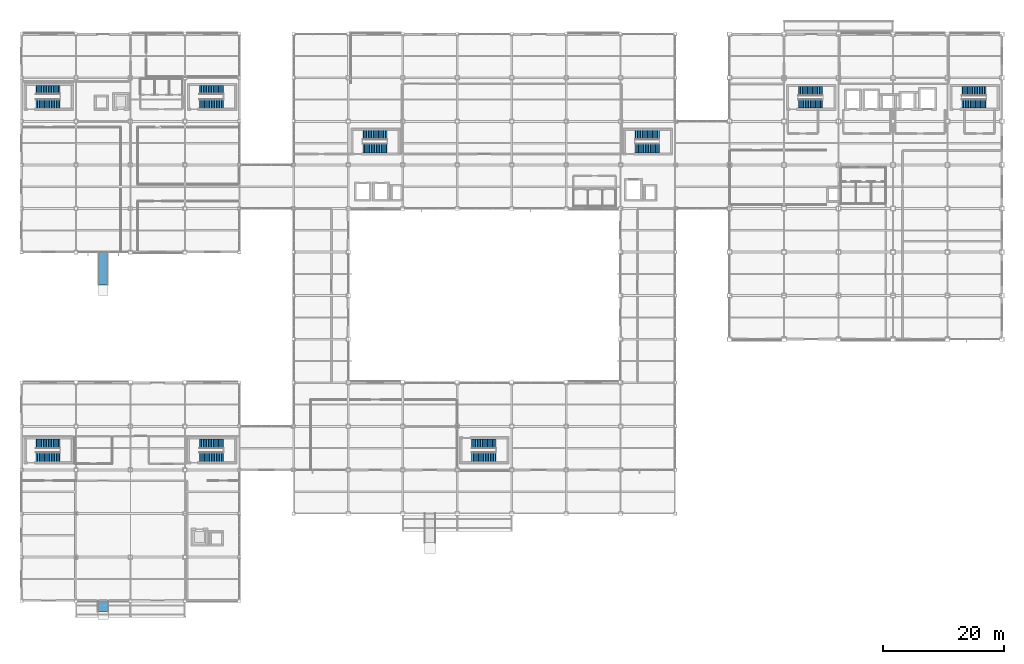
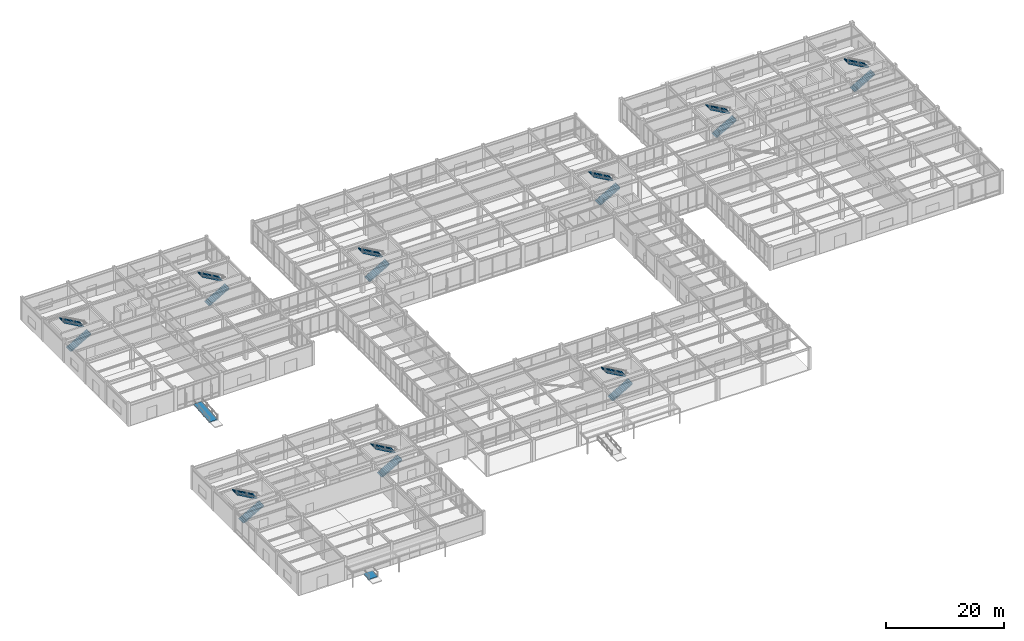
# One storey, part 96 of 112: 18 stair flights, 2 ramp flights, 11 elements without a shape of their own.
"""IFC4 building model written with IfcOpenShell, lengths in metres."""

from ifc_helpers import new_model, si_unit, direction, frame, origin, place, context, subcontext, project, spatial, polyline, outline, extrude, material, type_object, element, aggregate, save


model = new_model("IFC4")

# Units and contexts
model_context = context("Model", 3, precision=1e-05, world=origin(), true_north=direction((0.0, 1.0)))
body_context = subcontext(model_context, "Body", "Model", "MODEL_VIEW")
ifc_project = project(units=[si_unit("LENGTHUNIT", "METRE"), si_unit("AREAUNIT", "SQUARE_METRE"), si_unit("VOLUMEUNIT", "CUBIC_METRE"), si_unit("PLANEANGLEUNIT", "RADIAN"), si_unit("MASSUNIT", "GRAM", prefix="KILO")], contexts=[model_context])

# Site, building, storey
site_placement = place(None, origin())
site = spatial("IfcSite", under=ifc_project, at=site_placement, CompositionType="ELEMENT")
building_placement = place(site_placement, origin())
building = spatial("IfcBuilding", under=site, at=building_placement, Name="Kazanami Central Library", CompositionType="ELEMENT")
storey_placement = place(building_placement, origin())
storey = spatial("IfcBuildingStorey", under=building, at=storey_placement, Name="L01", CompositionType="ELEMENT", Elevation=0.0)

# Stair, stair flights
ifc_material = material(Name="Concrete Fc36 (36 MPa)", Category="concrete")
stair_type_1 = type_object("IfcStairType", Name="STR-P48", PredefinedType="HALF_TURN_STAIR", material=ifc_material)
stair_1_placement = place(storey_placement, origin())
stair_1 = element("IfcStair", 1, at=stair_1_placement, inside=storey, type_object=stair_type_1, Name="Enclosed Escape Stair ST-03 (L01)", PredefinedType="HALF_TURN_STAIR")
stair_flight_type_1 = type_object("IfcStairFlightType", Name="FLT-STR-P48", PredefinedType="STRAIGHT", material=ifc_material)
stair_flight_1_placement = place(storey_placement, frame((56.39404296875, 74.75, 0.0), z_axis=(0.0, 0.0, 1.0), x_axis=(1.0, 0.0, 0.0)))
stair_flight_1 = element("IfcStairFlight", 2, at=stair_flight_1_placement, type_object=stair_flight_type_1, Name="ST-03 flight 1", NumberOfRisers=15, NumberOfTreads=14, PredefinedType="STRAIGHT", RiserHeight=0.16, TreadLength=0.28, context=body_context, shape_type="SweptSolid", body=[
    extrude(outline(polyline([(0.0, 0.0), (0.0, 0.159912109375), (0.280029296875, 0.159912109375), (0.280029296875, 0.320068359375), (0.56005859375, 0.320068359375), (0.56005859375, 0.47998046875), (0.840087890625, 0.47998046875), (0.840087890625, 0.639892578125), (1.1201171875, 0.639892578125), (1.1201171875, 0.800048828125), (1.39990234375, 0.800048828125), (1.39990234375, 0.9599609375), (1.679931640625, 0.9599609375), (1.679931640625, 1.1201171875), (1.9599609375, 1.1201171875), (1.9599609375, 1.280029296875), (2.239990234375, 1.280029296875), (2.239990234375, 1.43994140625), (2.52001953125, 1.43994140625), (2.52001953125, 1.60009765625), (2.800048828125, 1.60009765625), (2.800048828125, 1.760009765625), (3.080078125, 1.760009765625), (3.080078125, 1.919921875), (3.360107421875, 1.919921875), (3.360107421875, 2.080078125), (3.639892578125, 2.080078125), (3.639892578125, 2.239990234375), (3.919921875, 2.239990234375), (3.919921875, 2.39990234375), (4.0, 2.39990234375), (4.0, 2.219970703125), (3.919921875, 2.03271484375), (0.362548828125, 0.0), (0.0, 0.0)])), frame((0.0, 0.800048828125, 0.0), z_axis=(0.0, -1.0, 0.0), x_axis=(1.0, 0.0, 0.0)), (0.0, 0.0, 1.0), 1.60009765625),
])
stair_flight_2_placement = place(storey_placement, frame((60.39404296875, 76.949951171875, 2.39990234375), z_axis=(0.0, 0.0, 1.0), x_axis=(-1.0, 0.0, 0.0)))
stair_flight_2 = element("IfcStairFlight", 3, at=stair_flight_2_placement, type_object=stair_flight_type_1, Name="ST-03 flight 2", NumberOfRisers=15, NumberOfTreads=14, PredefinedType="STRAIGHT", RiserHeight=0.16, TreadLength=0.28, context=body_context, shape_type="SweptSolid", body=[
    extrude(outline(polyline([(0.0, 0.0), (0.0, 0.159912109375), (0.280029296875, 0.159912109375), (0.280029296875, 0.320068359375), (0.56005859375, 0.320068359375), (0.56005859375, 0.47998046875), (0.840087890625, 0.47998046875), (0.840087890625, 0.639892578125), (1.1201171875, 0.639892578125), (1.1201171875, 0.800048828125), (1.39990234375, 0.800048828125), (1.39990234375, 0.9599609375), (1.679931640625, 0.9599609375), (1.679931640625, 1.1201171875), (1.9599609375, 1.1201171875), (1.9599609375, 1.280029296875), (2.239990234375, 1.280029296875), (2.239990234375, 1.43994140625), (2.52001953125, 1.43994140625), (2.52001953125, 1.60009765625), (2.800048828125, 1.60009765625), (2.800048828125, 1.760009765625), (3.080078125, 1.760009765625), (3.080078125, 1.919921875), (3.360107421875, 1.919921875), (3.360107421875, 2.080078125), (3.639892578125, 2.080078125), (3.639892578125, 2.239990234375), (3.919921875, 2.239990234375), (3.919921875, 2.39990234375), (4.0, 2.39990234375), (4.0, 2.219970703125), (3.919921875, 2.03271484375), (0.362548828125, 0.0), (0.0, 0.0)])), frame((0.0, 0.800048828125, 0.0), z_axis=(0.0, -1.0, 0.0), x_axis=(1.0, 0.0, 0.0)), (0.0, 0.0, 1.0), 1.60009765625),
])
aggregate(stair_1, [stair_flight_1, stair_flight_2])

stair_2_placement = place(storey_placement, origin())
stair_2 = element("IfcStair", 4, at=stair_2_placement, inside=storey, type_object=stair_type_1, Name="Enclosed Escape Stair ST-04 (L01)", PredefinedType="HALF_TURN_STAIR")
stair_flight_3_placement = place(storey_placement, frame((101.39404296875, 74.75, 0.0), z_axis=(0.0, 0.0, 1.0), x_axis=(1.0, 0.0, 0.0)))
stair_flight_3 = element("IfcStairFlight", 5, at=stair_flight_3_placement, type_object=stair_flight_type_1, Name="ST-04 flight 1", NumberOfRisers=15, NumberOfTreads=14, PredefinedType="STRAIGHT", RiserHeight=0.16, TreadLength=0.28, context=body_context, shape_type="SweptSolid", body=[
    extrude(outline(polyline([(0.0, 0.0), (0.0, 0.159912109375), (0.280029296875, 0.159912109375), (0.280029296875, 0.320068359375), (0.56005859375, 0.320068359375), (0.56005859375, 0.47998046875), (0.840087890625, 0.47998046875), (0.840087890625, 0.639892578125), (1.1201171875, 0.639892578125), (1.1201171875, 0.800048828125), (1.39990234375, 0.800048828125), (1.39990234375, 0.9599609375), (1.679931640625, 0.9599609375), (1.679931640625, 1.1201171875), (1.9599609375, 1.1201171875), (1.9599609375, 1.280029296875), (2.239990234375, 1.280029296875), (2.239990234375, 1.43994140625), (2.52001953125, 1.43994140625), (2.52001953125, 1.60009765625), (2.800048828125, 1.60009765625), (2.800048828125, 1.760009765625), (3.080078125, 1.760009765625), (3.080078125, 1.919921875), (3.360107421875, 1.919921875), (3.360107421875, 2.080078125), (3.639892578125, 2.080078125), (3.639892578125, 2.239990234375), (3.919921875, 2.239990234375), (3.919921875, 2.39990234375), (4.0, 2.39990234375), (4.0, 2.219970703125), (3.919921875, 2.03271484375), (0.362548828125, 0.0), (0.0, 0.0)])), frame((0.0, 0.800048828125, 0.0), z_axis=(0.0, -1.0, 0.0), x_axis=(1.0, 0.0, 0.0)), (0.0, 0.0, 1.0), 1.60009765625),
])
stair_flight_4_placement = place(storey_placement, frame((105.39404296875, 76.949951171875, 2.39990234375), z_axis=(0.0, 0.0, 1.0), x_axis=(-1.0, 0.0, 0.0)))
stair_flight_4 = element("IfcStairFlight", 6, at=stair_flight_4_placement, type_object=stair_flight_type_1, Name="ST-04 flight 2", NumberOfRisers=15, NumberOfTreads=14, PredefinedType="STRAIGHT", RiserHeight=0.16, TreadLength=0.28, context=body_context, shape_type="SweptSolid", body=[
    extrude(outline(polyline([(0.0, 0.0), (0.0, 0.159912109375), (0.280029296875, 0.159912109375), (0.280029296875, 0.320068359375), (0.56005859375, 0.320068359375), (0.56005859375, 0.47998046875), (0.840087890625, 0.47998046875), (0.840087890625, 0.639892578125), (1.1201171875, 0.639892578125), (1.1201171875, 0.800048828125), (1.39990234375, 0.800048828125), (1.39990234375, 0.9599609375), (1.679931640625, 0.9599609375), (1.679931640625, 1.1201171875), (1.9599609375, 1.1201171875), (1.9599609375, 1.280029296875), (2.239990234375, 1.280029296875), (2.239990234375, 1.43994140625), (2.52001953125, 1.43994140625), (2.52001953125, 1.60009765625), (2.800048828125, 1.60009765625), (2.800048828125, 1.760009765625), (3.080078125, 1.760009765625), (3.080078125, 1.919921875), (3.360107421875, 1.919921875), (3.360107421875, 2.080078125), (3.639892578125, 2.080078125), (3.639892578125, 2.239990234375), (3.919921875, 2.239990234375), (3.919921875, 2.39990234375), (4.0, 2.39990234375), (4.0, 2.219970703125), (3.919921875, 2.03271484375), (0.362548828125, 0.0), (0.0, 0.0)])), frame((0.0, 0.800048828125, 0.0), z_axis=(0.0, -1.0, 0.0), x_axis=(1.0, 0.0, 0.0)), (0.0, 0.0, 1.0), 1.60009765625),
])
aggregate(stair_2, [stair_flight_3, stair_flight_4])

stair_3_placement = place(storey_placement, origin())
stair_3 = element("IfcStair", 7, at=stair_3_placement, inside=storey, type_object=stair_type_1, Name="Enclosed Escape Stair ST-07 (L01)", PredefinedType="HALF_TURN_STAIR")
stair_flight_5_placement = place(storey_placement, frame((2.39404296875, 23.75, 0.0), z_axis=(0.0, 0.0, 1.0), x_axis=(1.0, 0.0, 0.0)))
stair_flight_5 = element("IfcStairFlight", 8, at=stair_flight_5_placement, type_object=stair_flight_type_1, Name="ST-07 flight 1", NumberOfRisers=15, NumberOfTreads=14, PredefinedType="STRAIGHT", RiserHeight=0.16, TreadLength=0.28, context=body_context, shape_type="SweptSolid", body=[
    extrude(outline(polyline([(0.0, 0.0), (0.0, 0.159912109375), (0.280029296875, 0.159912109375), (0.280029296875, 0.320068359375), (0.56005859375, 0.320068359375), (0.56005859375, 0.47998046875), (0.840087890625, 0.47998046875), (0.840087890625, 0.639892578125), (1.1201171875, 0.639892578125), (1.1201171875, 0.800048828125), (1.39990234375, 0.800048828125), (1.39990234375, 0.9599609375), (1.679931640625, 0.9599609375), (1.679931640625, 1.1201171875), (1.9599609375, 1.1201171875), (1.9599609375, 1.280029296875), (2.239990234375, 1.280029296875), (2.239990234375, 1.43994140625), (2.52001953125, 1.43994140625), (2.52001953125, 1.60009765625), (2.800048828125, 1.60009765625), (2.800048828125, 1.760009765625), (3.080078125, 1.760009765625), (3.080078125, 1.919921875), (3.360107421875, 1.919921875), (3.360107421875, 2.080078125), (3.639892578125, 2.080078125), (3.639892578125, 2.239990234375), (3.919921875, 2.239990234375), (3.919921875, 2.39990234375), (4.0, 2.39990234375), (4.0, 2.219970703125), (3.919921875, 2.03271484375), (0.362548828125, 0.0), (0.0, 0.0)])), frame((0.0, 0.800048828125, 0.0), z_axis=(0.0, -1.0, 0.0), x_axis=(1.0, 0.0, 0.0)), (0.0, 0.0, 1.0), 1.60009765625),
])
stair_flight_6_placement = place(storey_placement, frame((6.39404296875, 25.949951171875, 2.39990234375), z_axis=(0.0, 0.0, 1.0), x_axis=(-1.0, 0.0, 0.0)))
stair_flight_6 = element("IfcStairFlight", 9, at=stair_flight_6_placement, type_object=stair_flight_type_1, Name="ST-07 flight 2", NumberOfRisers=15, NumberOfTreads=14, PredefinedType="STRAIGHT", RiserHeight=0.16, TreadLength=0.28, context=body_context, shape_type="SweptSolid", body=[
    extrude(outline(polyline([(0.0, 0.0), (0.0, 0.159912109375), (0.280029296875, 0.159912109375), (0.280029296875, 0.320068359375), (0.56005859375, 0.320068359375), (0.56005859375, 0.47998046875), (0.840087890625, 0.47998046875), (0.840087890625, 0.639892578125), (1.1201171875, 0.639892578125), (1.1201171875, 0.800048828125), (1.39990234375, 0.800048828125), (1.39990234375, 0.9599609375), (1.679931640625, 0.9599609375), (1.679931640625, 1.1201171875), (1.9599609375, 1.1201171875), (1.9599609375, 1.280029296875), (2.239990234375, 1.280029296875), (2.239990234375, 1.43994140625), (2.52001953125, 1.43994140625), (2.52001953125, 1.60009765625), (2.800048828125, 1.60009765625), (2.800048828125, 1.760009765625), (3.080078125, 1.760009765625), (3.080078125, 1.919921875), (3.360107421875, 1.919921875), (3.360107421875, 2.080078125), (3.639892578125, 2.080078125), (3.639892578125, 2.239990234375), (3.919921875, 2.239990234375), (3.919921875, 2.39990234375), (4.0, 2.39990234375), (4.0, 2.219970703125), (3.919921875, 2.03271484375), (0.362548828125, 0.0), (0.0, 0.0)])), frame((0.0, 0.800048828125, 0.0), z_axis=(0.0, -1.0, 0.0), x_axis=(1.0, 0.0, 0.0)), (0.0, 0.0, 1.0), 1.60009765625),
])
aggregate(stair_3, [stair_flight_5, stair_flight_6])

stair_4_placement = place(storey_placement, origin())
stair_4 = element("IfcStair", 10, at=stair_4_placement, inside=storey, type_object=stair_type_1, Name="Enclosed Escape Stair ST-08 (L01)", PredefinedType="HALF_TURN_STAIR")
stair_flight_7_placement = place(storey_placement, frame((29.39404296875, 23.75, 0.0), z_axis=(0.0, 0.0, 1.0), x_axis=(1.0, 0.0, 0.0)))
stair_flight_7 = element("IfcStairFlight", 11, at=stair_flight_7_placement, type_object=stair_flight_type_1, Name="ST-08 flight 1", NumberOfRisers=15, NumberOfTreads=14, PredefinedType="STRAIGHT", RiserHeight=0.16, TreadLength=0.28, context=body_context, shape_type="SweptSolid", body=[
    extrude(outline(polyline([(0.0, 0.0), (0.0, 0.159912109375), (0.280029296875, 0.159912109375), (0.280029296875, 0.320068359375), (0.56005859375, 0.320068359375), (0.56005859375, 0.47998046875), (0.840087890625, 0.47998046875), (0.840087890625, 0.639892578125), (1.1201171875, 0.639892578125), (1.1201171875, 0.800048828125), (1.39990234375, 0.800048828125), (1.39990234375, 0.9599609375), (1.679931640625, 0.9599609375), (1.679931640625, 1.1201171875), (1.9599609375, 1.1201171875), (1.9599609375, 1.280029296875), (2.239990234375, 1.280029296875), (2.239990234375, 1.43994140625), (2.52001953125, 1.43994140625), (2.52001953125, 1.60009765625), (2.800048828125, 1.60009765625), (2.800048828125, 1.760009765625), (3.080078125, 1.760009765625), (3.080078125, 1.919921875), (3.360107421875, 1.919921875), (3.360107421875, 2.080078125), (3.639892578125, 2.080078125), (3.639892578125, 2.239990234375), (3.919921875, 2.239990234375), (3.919921875, 2.39990234375), (4.0, 2.39990234375), (4.0, 2.219970703125), (3.919921875, 2.03271484375), (0.362548828125, 0.0), (0.0, 0.0)])), frame((0.0, 0.800048828125, 0.0), z_axis=(0.0, -1.0, 0.0), x_axis=(1.0, 0.0, 0.0)), (0.0, 0.0, 1.0), 1.60009765625),
])
stair_flight_8_placement = place(storey_placement, frame((33.39404296875, 25.949951171875, 2.39990234375), z_axis=(0.0, 0.0, 1.0), x_axis=(-1.0, 0.0, 0.0)))
stair_flight_8 = element("IfcStairFlight", 12, at=stair_flight_8_placement, type_object=stair_flight_type_1, Name="ST-08 flight 2", NumberOfRisers=15, NumberOfTreads=14, PredefinedType="STRAIGHT", RiserHeight=0.16, TreadLength=0.28, context=body_context, shape_type="SweptSolid", body=[
    extrude(outline(polyline([(0.0, 0.0), (0.0, 0.159912109375), (0.280029296875, 0.159912109375), (0.280029296875, 0.320068359375), (0.56005859375, 0.320068359375), (0.56005859375, 0.47998046875), (0.840087890625, 0.47998046875), (0.840087890625, 0.639892578125), (1.1201171875, 0.639892578125), (1.1201171875, 0.800048828125), (1.39990234375, 0.800048828125), (1.39990234375, 0.9599609375), (1.679931640625, 0.9599609375), (1.679931640625, 1.1201171875), (1.9599609375, 1.1201171875), (1.9599609375, 1.280029296875), (2.239990234375, 1.280029296875), (2.239990234375, 1.43994140625), (2.52001953125, 1.43994140625), (2.52001953125, 1.60009765625), (2.800048828125, 1.60009765625), (2.800048828125, 1.760009765625), (3.080078125, 1.760009765625), (3.080078125, 1.919921875), (3.360107421875, 1.919921875), (3.360107421875, 2.080078125), (3.639892578125, 2.080078125), (3.639892578125, 2.239990234375), (3.919921875, 2.239990234375), (3.919921875, 2.39990234375), (4.0, 2.39990234375), (4.0, 2.219970703125), (3.919921875, 2.03271484375), (0.362548828125, 0.0), (0.0, 0.0)])), frame((0.0, 0.800048828125, 0.0), z_axis=(0.0, -1.0, 0.0), x_axis=(1.0, 0.0, 0.0)), (0.0, 0.0, 1.0), 1.60009765625),
])
aggregate(stair_4, [stair_flight_7, stair_flight_8])

stair_5_placement = place(storey_placement, origin())
stair_5 = element("IfcStair", 13, at=stair_5_placement, inside=storey, type_object=stair_type_1, Name="Enclosed Escape Stair ST-09 (L01)", PredefinedType="HALF_TURN_STAIR")
stair_flight_9_placement = place(storey_placement, frame((74.39404296875, 23.75, 0.0), z_axis=(0.0, 0.0, 1.0), x_axis=(1.0, 0.0, 0.0)))
stair_flight_9 = element("IfcStairFlight", 14, at=stair_flight_9_placement, type_object=stair_flight_type_1, Name="ST-09 flight 1", NumberOfRisers=15, NumberOfTreads=14, PredefinedType="STRAIGHT", RiserHeight=0.16, TreadLength=0.28, context=body_context, shape_type="SweptSolid", body=[
    extrude(outline(polyline([(0.0, 0.0), (0.0, 0.159912109375), (0.280029296875, 0.159912109375), (0.280029296875, 0.320068359375), (0.56005859375, 0.320068359375), (0.56005859375, 0.47998046875), (0.840087890625, 0.47998046875), (0.840087890625, 0.639892578125), (1.1201171875, 0.639892578125), (1.1201171875, 0.800048828125), (1.39990234375, 0.800048828125), (1.39990234375, 0.9599609375), (1.679931640625, 0.9599609375), (1.679931640625, 1.1201171875), (1.9599609375, 1.1201171875), (1.9599609375, 1.280029296875), (2.239990234375, 1.280029296875), (2.239990234375, 1.43994140625), (2.52001953125, 1.43994140625), (2.52001953125, 1.60009765625), (2.800048828125, 1.60009765625), (2.800048828125, 1.760009765625), (3.080078125, 1.760009765625), (3.080078125, 1.919921875), (3.360107421875, 1.919921875), (3.360107421875, 2.080078125), (3.639892578125, 2.080078125), (3.639892578125, 2.239990234375), (3.919921875, 2.239990234375), (3.919921875, 2.39990234375), (4.0, 2.39990234375), (4.0, 2.219970703125), (3.919921875, 2.03271484375), (0.362548828125, 0.0), (0.0, 0.0)])), frame((0.0, 0.800048828125, 0.0), z_axis=(0.0, -1.0, 0.0), x_axis=(1.0, 0.0, 0.0)), (0.0, 0.0, 1.0), 1.60009765625),
])
stair_flight_10_placement = place(storey_placement, frame((78.39404296875, 25.949951171875, 2.39990234375), z_axis=(0.0, 0.0, 1.0), x_axis=(-1.0, 0.0, 0.0)))
stair_flight_10 = element("IfcStairFlight", 15, at=stair_flight_10_placement, type_object=stair_flight_type_1, Name="ST-09 flight 2", NumberOfRisers=15, NumberOfTreads=14, PredefinedType="STRAIGHT", RiserHeight=0.16, TreadLength=0.28, context=body_context, shape_type="SweptSolid", body=[
    extrude(outline(polyline([(0.0, 0.0), (0.0, 0.159912109375), (0.280029296875, 0.159912109375), (0.280029296875, 0.320068359375), (0.56005859375, 0.320068359375), (0.56005859375, 0.47998046875), (0.840087890625, 0.47998046875), (0.840087890625, 0.639892578125), (1.1201171875, 0.639892578125), (1.1201171875, 0.800048828125), (1.39990234375, 0.800048828125), (1.39990234375, 0.9599609375), (1.679931640625, 0.9599609375), (1.679931640625, 1.1201171875), (1.9599609375, 1.1201171875), (1.9599609375, 1.280029296875), (2.239990234375, 1.280029296875), (2.239990234375, 1.43994140625), (2.52001953125, 1.43994140625), (2.52001953125, 1.60009765625), (2.800048828125, 1.60009765625), (2.800048828125, 1.760009765625), (3.080078125, 1.760009765625), (3.080078125, 1.919921875), (3.360107421875, 1.919921875), (3.360107421875, 2.080078125), (3.639892578125, 2.080078125), (3.639892578125, 2.239990234375), (3.919921875, 2.239990234375), (3.919921875, 2.39990234375), (4.0, 2.39990234375), (4.0, 2.219970703125), (3.919921875, 2.03271484375), (0.362548828125, 0.0), (0.0, 0.0)])), frame((0.0, 0.800048828125, 0.0), z_axis=(0.0, -1.0, 0.0), x_axis=(1.0, 0.0, 0.0)), (0.0, 0.0, 1.0), 1.60009765625),
])
aggregate(stair_5, [stair_flight_9, stair_flight_10])

stair_type_2 = type_object("IfcStairType", Name="STR-T48", PredefinedType="HALF_TURN_STAIR", material=ifc_material)
stair_6_placement = place(storey_placement, origin())
stair_6 = element("IfcStair", 16, at=stair_6_placement, inside=storey, type_object=stair_type_2, Name="Enclosed Escape Stair ST-01 (L01)", PredefinedType="HALF_TURN_STAIR")
stair_flight_type_2 = type_object("IfcStairFlightType", Name="FLT-STR-T48", PredefinedType="STRAIGHT", material=ifc_material)
stair_flight_11_placement = place(storey_placement, frame((128.39404296875, 82.125, 0.0), z_axis=(0.0, 0.0, 1.0), x_axis=(1.0, 0.0, 0.0)))
stair_flight_11 = element("IfcStairFlight", 17, at=stair_flight_11_placement, type_object=stair_flight_type_2, Name="ST-01 flight 1", NumberOfRisers=15, NumberOfTreads=14, PredefinedType="STRAIGHT", RiserHeight=0.16, TreadLength=0.28, context=body_context, shape_type="SweptSolid", body=[
    extrude(outline(polyline([(0.0, 0.0), (0.0, 0.159912109375), (0.280029296875, 0.159912109375), (0.280029296875, 0.320068359375), (0.56005859375, 0.320068359375), (0.56005859375, 0.47998046875), (0.840087890625, 0.47998046875), (0.840087890625, 0.639892578125), (1.1201171875, 0.639892578125), (1.1201171875, 0.800048828125), (1.39990234375, 0.800048828125), (1.39990234375, 0.9599609375), (1.679931640625, 0.9599609375), (1.679931640625, 1.1201171875), (1.9599609375, 1.1201171875), (1.9599609375, 1.280029296875), (2.239990234375, 1.280029296875), (2.239990234375, 1.43994140625), (2.52001953125, 1.43994140625), (2.52001953125, 1.60009765625), (2.800048828125, 1.60009765625), (2.800048828125, 1.760009765625), (3.080078125, 1.760009765625), (3.080078125, 1.919921875), (3.360107421875, 1.919921875), (3.360107421875, 2.080078125), (3.639892578125, 2.080078125), (3.639892578125, 2.239990234375), (3.919921875, 2.239990234375), (3.919921875, 2.39990234375), (4.0, 2.39990234375), (4.0, 2.219970703125), (3.919921875, 2.03271484375), (0.362548828125, 0.0), (0.0, 0.0)])), frame((0.0, 0.75, 0.0), z_axis=(0.0, -1.0, 0.0), x_axis=(1.0, 0.0, 0.0)), (0.0, 0.0, 1.0), 1.5),
])
stair_flight_12_placement = place(storey_placement, frame((132.39404296875, 84.175048828125, 2.39990234375), z_axis=(0.0, 0.0, 1.0), x_axis=(-1.0, 0.0, 0.0)))
stair_flight_12 = element("IfcStairFlight", 18, at=stair_flight_12_placement, type_object=stair_flight_type_2, Name="ST-01 flight 2", NumberOfRisers=15, NumberOfTreads=14, PredefinedType="STRAIGHT", RiserHeight=0.16, TreadLength=0.28, context=body_context, shape_type="SweptSolid", body=[
    extrude(outline(polyline([(0.0, 0.0), (0.0, 0.159912109375), (0.280029296875, 0.159912109375), (0.280029296875, 0.320068359375), (0.56005859375, 0.320068359375), (0.56005859375, 0.47998046875), (0.840087890625, 0.47998046875), (0.840087890625, 0.639892578125), (1.1201171875, 0.639892578125), (1.1201171875, 0.800048828125), (1.39990234375, 0.800048828125), (1.39990234375, 0.9599609375), (1.679931640625, 0.9599609375), (1.679931640625, 1.1201171875), (1.9599609375, 1.1201171875), (1.9599609375, 1.280029296875), (2.239990234375, 1.280029296875), (2.239990234375, 1.43994140625), (2.52001953125, 1.43994140625), (2.52001953125, 1.60009765625), (2.800048828125, 1.60009765625), (2.800048828125, 1.760009765625), (3.080078125, 1.760009765625), (3.080078125, 1.919921875), (3.360107421875, 1.919921875), (3.360107421875, 2.080078125), (3.639892578125, 2.080078125), (3.639892578125, 2.239990234375), (3.919921875, 2.239990234375), (3.919921875, 2.39990234375), (4.0, 2.39990234375), (4.0, 2.219970703125), (3.919921875, 2.03271484375), (0.362548828125, 0.0), (0.0, 0.0)])), frame((0.0, 0.75, 0.0), z_axis=(0.0, -1.0, 0.0), x_axis=(1.0, 0.0, 0.0)), (0.0, 0.0, 1.0), 1.5),
])
aggregate(stair_6, [stair_flight_11, stair_flight_12])

stair_7_placement = place(storey_placement, origin())
stair_7 = element("IfcStair", 19, at=stair_7_placement, inside=storey, type_object=stair_type_2, Name="Enclosed Escape Stair ST-02 (L01)", PredefinedType="HALF_TURN_STAIR")
stair_flight_13_placement = place(storey_placement, frame((155.39404296875, 82.125, 0.0), z_axis=(0.0, 0.0, 1.0), x_axis=(1.0, 0.0, 0.0)))
stair_flight_13 = element("IfcStairFlight", 20, at=stair_flight_13_placement, type_object=stair_flight_type_2, Name="ST-02 flight 1", NumberOfRisers=15, NumberOfTreads=14, PredefinedType="STRAIGHT", RiserHeight=0.16, TreadLength=0.28, context=body_context, shape_type="SweptSolid", body=[
    extrude(outline(polyline([(0.0, 0.0), (0.0, 0.159912109375), (0.280029296875, 0.159912109375), (0.280029296875, 0.320068359375), (0.56005859375, 0.320068359375), (0.56005859375, 0.47998046875), (0.840087890625, 0.47998046875), (0.840087890625, 0.639892578125), (1.1201171875, 0.639892578125), (1.1201171875, 0.800048828125), (1.39990234375, 0.800048828125), (1.39990234375, 0.9599609375), (1.679931640625, 0.9599609375), (1.679931640625, 1.1201171875), (1.9599609375, 1.1201171875), (1.9599609375, 1.280029296875), (2.239990234375, 1.280029296875), (2.239990234375, 1.43994140625), (2.52001953125, 1.43994140625), (2.52001953125, 1.60009765625), (2.800048828125, 1.60009765625), (2.800048828125, 1.760009765625), (3.080078125, 1.760009765625), (3.080078125, 1.919921875), (3.360107421875, 1.919921875), (3.360107421875, 2.080078125), (3.639892578125, 2.080078125), (3.639892578125, 2.239990234375), (3.919921875, 2.239990234375), (3.919921875, 2.39990234375), (4.0, 2.39990234375), (4.0, 2.219970703125), (3.919921875, 2.03271484375), (0.362548828125, 0.0), (0.0, 0.0)])), frame((0.0, 0.75, 0.0), z_axis=(0.0, -1.0, 0.0), x_axis=(1.0, 0.0, 0.0)), (0.0, 0.0, 1.0), 1.5),
])
stair_flight_14_placement = place(storey_placement, frame((159.39404296875, 84.175048828125, 2.39990234375), z_axis=(0.0, 0.0, 1.0), x_axis=(-1.0, 0.0, 0.0)))
stair_flight_14 = element("IfcStairFlight", 21, at=stair_flight_14_placement, type_object=stair_flight_type_2, Name="ST-02 flight 2", NumberOfRisers=15, NumberOfTreads=14, PredefinedType="STRAIGHT", RiserHeight=0.16, TreadLength=0.28, context=body_context, shape_type="SweptSolid", body=[
    extrude(outline(polyline([(0.0, 0.0), (0.0, 0.159912109375), (0.280029296875, 0.159912109375), (0.280029296875, 0.320068359375), (0.56005859375, 0.320068359375), (0.56005859375, 0.47998046875), (0.840087890625, 0.47998046875), (0.840087890625, 0.639892578125), (1.1201171875, 0.639892578125), (1.1201171875, 0.800048828125), (1.39990234375, 0.800048828125), (1.39990234375, 0.9599609375), (1.679931640625, 0.9599609375), (1.679931640625, 1.1201171875), (1.9599609375, 1.1201171875), (1.9599609375, 1.280029296875), (2.239990234375, 1.280029296875), (2.239990234375, 1.43994140625), (2.52001953125, 1.43994140625), (2.52001953125, 1.60009765625), (2.800048828125, 1.60009765625), (2.800048828125, 1.760009765625), (3.080078125, 1.760009765625), (3.080078125, 1.919921875), (3.360107421875, 1.919921875), (3.360107421875, 2.080078125), (3.639892578125, 2.080078125), (3.639892578125, 2.239990234375), (3.919921875, 2.239990234375), (3.919921875, 2.39990234375), (4.0, 2.39990234375), (4.0, 2.219970703125), (3.919921875, 2.03271484375), (0.362548828125, 0.0), (0.0, 0.0)])), frame((0.0, 0.75, 0.0), z_axis=(0.0, -1.0, 0.0), x_axis=(1.0, 0.0, 0.0)), (0.0, 0.0, 1.0), 1.5),
])
aggregate(stair_7, [stair_flight_13, stair_flight_14])

stair_8_placement = place(storey_placement, origin())
stair_8 = element("IfcStair", 22, at=stair_8_placement, inside=storey, type_object=stair_type_2, Name="Enclosed Escape Stair ST-05 (L01)", PredefinedType="HALF_TURN_STAIR")
stair_flight_15_placement = place(storey_placement, frame((2.39404296875, 82.10009765625, 0.0), z_axis=(0.0, 0.0, 1.0), x_axis=(1.0, 0.0, 0.0)))
stair_flight_15 = element("IfcStairFlight", 23, at=stair_flight_15_placement, type_object=stair_flight_type_2, Name="ST-05 flight 1", NumberOfRisers=15, NumberOfTreads=14, PredefinedType="STRAIGHT", RiserHeight=0.16, TreadLength=0.28, context=body_context, shape_type="SweptSolid", body=[
    extrude(outline(polyline([(0.0, 0.0), (0.0, 0.159912109375), (0.280029296875, 0.159912109375), (0.280029296875, 0.320068359375), (0.56005859375, 0.320068359375), (0.56005859375, 0.47998046875), (0.840087890625, 0.47998046875), (0.840087890625, 0.639892578125), (1.1201171875, 0.639892578125), (1.1201171875, 0.800048828125), (1.39990234375, 0.800048828125), (1.39990234375, 0.9599609375), (1.679931640625, 0.9599609375), (1.679931640625, 1.1201171875), (1.9599609375, 1.1201171875), (1.9599609375, 1.280029296875), (2.239990234375, 1.280029296875), (2.239990234375, 1.43994140625), (2.52001953125, 1.43994140625), (2.52001953125, 1.60009765625), (2.800048828125, 1.60009765625), (2.800048828125, 1.760009765625), (3.080078125, 1.760009765625), (3.080078125, 1.919921875), (3.360107421875, 1.919921875), (3.360107421875, 2.080078125), (3.639892578125, 2.080078125), (3.639892578125, 2.239990234375), (3.919921875, 2.239990234375), (3.919921875, 2.39990234375), (4.0, 2.39990234375), (4.0, 2.219970703125), (3.919921875, 2.03271484375), (0.362548828125, 0.0), (0.0, 0.0)])), frame((0.0, 0.75, 0.0), z_axis=(0.0, -1.0, 0.0), x_axis=(1.0, 0.0, 0.0)), (0.0, 0.0, 1.0), 1.5),
])
stair_flight_16_placement = place(storey_placement, frame((6.39404296875, 84.39990234375, 2.39990234375), z_axis=(0.0, 0.0, 1.0), x_axis=(-1.0, 0.0, 0.0)))
stair_flight_16 = element("IfcStairFlight", 24, at=stair_flight_16_placement, type_object=stair_flight_type_2, Name="ST-05 flight 2", NumberOfRisers=15, NumberOfTreads=14, PredefinedType="STRAIGHT", RiserHeight=0.16, TreadLength=0.28, context=body_context, shape_type="SweptSolid", body=[
    extrude(outline(polyline([(0.0, 0.0), (0.0, 0.159912109375), (0.280029296875, 0.159912109375), (0.280029296875, 0.320068359375), (0.56005859375, 0.320068359375), (0.56005859375, 0.47998046875), (0.840087890625, 0.47998046875), (0.840087890625, 0.639892578125), (1.1201171875, 0.639892578125), (1.1201171875, 0.800048828125), (1.39990234375, 0.800048828125), (1.39990234375, 0.9599609375), (1.679931640625, 0.9599609375), (1.679931640625, 1.1201171875), (1.9599609375, 1.1201171875), (1.9599609375, 1.280029296875), (2.239990234375, 1.280029296875), (2.239990234375, 1.43994140625), (2.52001953125, 1.43994140625), (2.52001953125, 1.60009765625), (2.800048828125, 1.60009765625), (2.800048828125, 1.760009765625), (3.080078125, 1.760009765625), (3.080078125, 1.919921875), (3.360107421875, 1.919921875), (3.360107421875, 2.080078125), (3.639892578125, 2.080078125), (3.639892578125, 2.239990234375), (3.919921875, 2.239990234375), (3.919921875, 2.39990234375), (4.0, 2.39990234375), (4.0, 2.219970703125), (3.919921875, 2.03271484375), (0.362548828125, 0.0), (0.0, 0.0)])), frame((0.0, 0.75, 0.0), z_axis=(0.0, -1.0, 0.0), x_axis=(1.0, 0.0, 0.0)), (0.0, 0.0, 1.0), 1.5),
])
aggregate(stair_8, [stair_flight_15, stair_flight_16])

stair_9_placement = place(storey_placement, origin())
stair_9 = element("IfcStair", 25, at=stair_9_placement, inside=storey, type_object=stair_type_2, Name="Enclosed Escape Stair ST-06 (L01)", PredefinedType="HALF_TURN_STAIR")
stair_flight_17_placement = place(storey_placement, frame((29.39404296875, 82.10009765625, 0.0), z_axis=(0.0, 0.0, 1.0), x_axis=(1.0, 0.0, 0.0)))
stair_flight_17 = element("IfcStairFlight", 26, at=stair_flight_17_placement, type_object=stair_flight_type_2, Name="ST-06 flight 1", NumberOfRisers=15, NumberOfTreads=14, PredefinedType="STRAIGHT", RiserHeight=0.16, TreadLength=0.28, context=body_context, shape_type="SweptSolid", body=[
    extrude(outline(polyline([(0.0, 0.0), (0.0, 0.159912109375), (0.280029296875, 0.159912109375), (0.280029296875, 0.320068359375), (0.56005859375, 0.320068359375), (0.56005859375, 0.47998046875), (0.840087890625, 0.47998046875), (0.840087890625, 0.639892578125), (1.1201171875, 0.639892578125), (1.1201171875, 0.800048828125), (1.39990234375, 0.800048828125), (1.39990234375, 0.9599609375), (1.679931640625, 0.9599609375), (1.679931640625, 1.1201171875), (1.9599609375, 1.1201171875), (1.9599609375, 1.280029296875), (2.239990234375, 1.280029296875), (2.239990234375, 1.43994140625), (2.52001953125, 1.43994140625), (2.52001953125, 1.60009765625), (2.800048828125, 1.60009765625), (2.800048828125, 1.760009765625), (3.080078125, 1.760009765625), (3.080078125, 1.919921875), (3.360107421875, 1.919921875), (3.360107421875, 2.080078125), (3.639892578125, 2.080078125), (3.639892578125, 2.239990234375), (3.919921875, 2.239990234375), (3.919921875, 2.39990234375), (4.0, 2.39990234375), (4.0, 2.219970703125), (3.919921875, 2.03271484375), (0.362548828125, 0.0), (0.0, 0.0)])), frame((0.0, 0.75, 0.0), z_axis=(0.0, -1.0, 0.0), x_axis=(1.0, 0.0, 0.0)), (0.0, 0.0, 1.0), 1.5),
])
stair_flight_18_placement = place(storey_placement, frame((33.39404296875, 84.39990234375, 2.39990234375), z_axis=(0.0, 0.0, 1.0), x_axis=(-1.0, 0.0, 0.0)))
stair_flight_18 = element("IfcStairFlight", 27, at=stair_flight_18_placement, type_object=stair_flight_type_2, Name="ST-06 flight 2", NumberOfRisers=15, NumberOfTreads=14, PredefinedType="STRAIGHT", RiserHeight=0.16, TreadLength=0.28, context=body_context, shape_type="SweptSolid", body=[
    extrude(outline(polyline([(0.0, 0.0), (0.0, 0.159912109375), (0.280029296875, 0.159912109375), (0.280029296875, 0.320068359375), (0.56005859375, 0.320068359375), (0.56005859375, 0.47998046875), (0.840087890625, 0.47998046875), (0.840087890625, 0.639892578125), (1.1201171875, 0.639892578125), (1.1201171875, 0.800048828125), (1.39990234375, 0.800048828125), (1.39990234375, 0.9599609375), (1.679931640625, 0.9599609375), (1.679931640625, 1.1201171875), (1.9599609375, 1.1201171875), (1.9599609375, 1.280029296875), (2.239990234375, 1.280029296875), (2.239990234375, 1.43994140625), (2.52001953125, 1.43994140625), (2.52001953125, 1.60009765625), (2.800048828125, 1.60009765625), (2.800048828125, 1.760009765625), (3.080078125, 1.760009765625), (3.080078125, 1.919921875), (3.360107421875, 1.919921875), (3.360107421875, 2.080078125), (3.639892578125, 2.080078125), (3.639892578125, 2.239990234375), (3.919921875, 2.239990234375), (3.919921875, 2.39990234375), (4.0, 2.39990234375), (4.0, 2.219970703125), (3.919921875, 2.03271484375), (0.362548828125, 0.0), (0.0, 0.0)])), frame((0.0, 0.75, 0.0), z_axis=(0.0, -1.0, 0.0), x_axis=(1.0, 0.0, 0.0)), (0.0, 0.0, 1.0), 1.5),
])
aggregate(stair_9, [stair_flight_17, stair_flight_18])

# Ramp, ramp flight
ramp_type_1 = type_object("IfcRampType", Name="RMP-RMP-01", PredefinedType="STRAIGHT_RUN_RAMP", material=ifc_material)
ramp_1_placement = place(storey_placement, origin())
ramp_1 = element("IfcRamp", 28, at=ramp_1_placement, inside=storey, type_object=ramp_type_1, Name="Accessible Promenade Ramp RMP-CANAL-SW", PredefinedType="STRAIGHT_RUN_RAMP")
ramp_flight_type_1 = type_object("IfcRampFlightType", Name="RFL-RMP-01", PredefinedType="STRAIGHT", material=ifc_material)
ramp_flight_1_placement = place(storey_placement, frame((13.5, -1.805908203125, -0.14990234375), z_axis=(0.0, 0.0, 1.0), x_axis=(0.0, 1.0, 0.0)))
ramp_flight_1 = element("IfcRampFlight", 29, at=ramp_flight_1_placement, type_object=ramp_flight_type_1, Name="Accessible Promenade Ramp RMP-CANAL-SW flight 1", PredefinedType="STRAIGHT", context=body_context, shape_type="SweptSolid", body=[
    extrude(outline(polyline([(0.0, 0.0), (1.81201171875, 0.14990234375), (1.81201171875, -0.050048828125), (0.0, -0.199951171875), (0.0, 0.0)])), frame((0.0, 0.89990234375, 0.0), z_axis=(0.0, -1.0, 0.0), x_axis=(1.0, 0.0, 0.0)), (0.0, 0.0, 1.0), 1.800048828125),
])
aggregate(ramp_1, [ramp_flight_1])

ramp_type_2 = type_object("IfcRampType", Name="RMP-RMP-03", PredefinedType="STRAIGHT_RUN_RAMP", material=ifc_material)
ramp_2_placement = place(storey_placement, origin())
ramp_2 = element("IfcRamp", 30, at=ramp_2_placement, inside=storey, type_object=ramp_type_2, Name="Accessible Promenade Ramp RMP-GARDEN-NW", PredefinedType="STRAIGHT_RUN_RAMP")
ramp_flight_type_2 = type_object("IfcRampFlightType", Name="RFL-RMP-03", PredefinedType="STRAIGHT", material=ifc_material)
ramp_flight_2_placement = place(storey_placement, frame((13.5, 52.194091796875, -0.449951171875), z_axis=(0.0, 0.0, 1.0), x_axis=(0.0, 1.0, 0.0)))
ramp_flight_2 = element("IfcRampFlight", 31, at=ramp_flight_2_placement, type_object=ramp_flight_type_2, Name="Accessible Promenade Ramp RMP-GARDEN-NW flight 1", PredefinedType="STRAIGHT", context=body_context, shape_type="SweptSolid", body=[
    extrude(outline(polyline([(0.0, 0.0), (5.412109375, 0.449951171875), (5.412109375, 0.25), (0.0, -0.199951171875), (0.0, 0.0)])), frame((0.0, 0.800048828125, 0.0), z_axis=(0.0, -1.0, 0.0), x_axis=(1.0, 0.0, 0.0)), (0.0, 0.0, 1.0), 1.60009765625),
])
aggregate(ramp_2, [ramp_flight_2])

save(model, "model.ifc")
